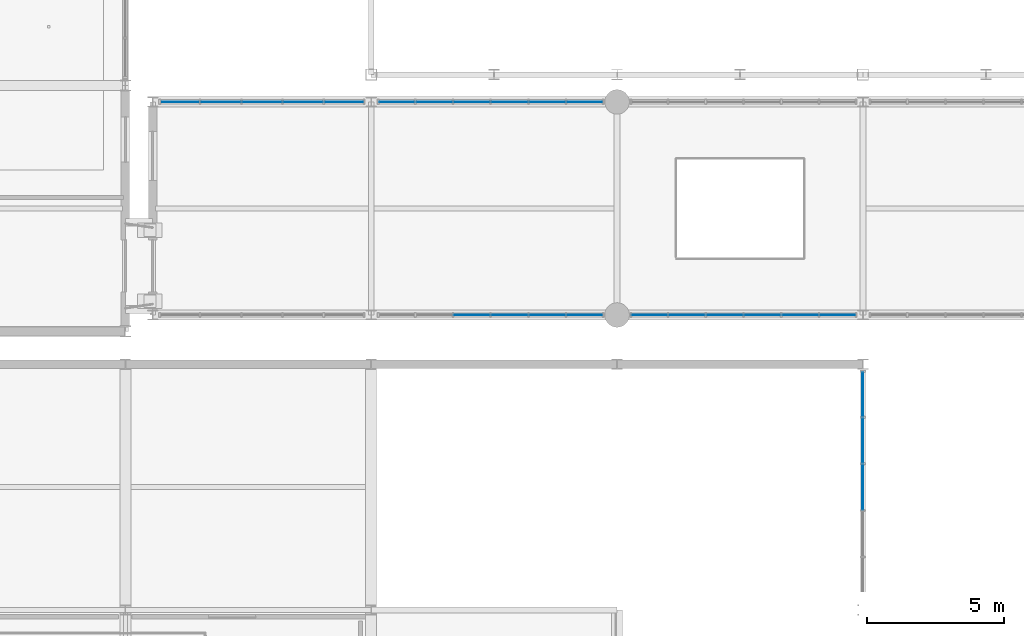
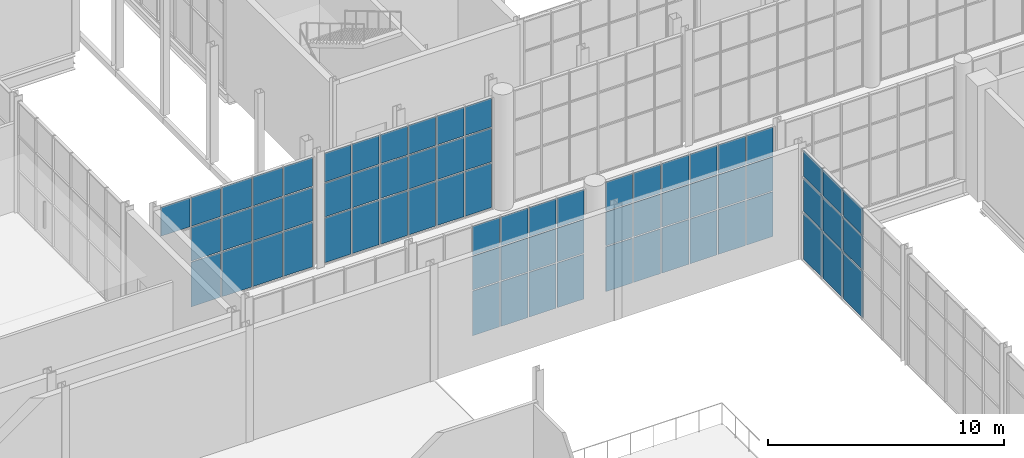
# One storey, part 96 of 159: 70 plates, 5 elements without a shape of their own.
"""IFC4 building model written with IfcOpenShell, lengths in metres."""

from ifc_helpers import new_model, si_unit, direction, frame, origin, origin_2d, place, context, subcontext, project, spatial, rectangle, extrude, material, layer, layer_set, type_object, element, aggregate, save


model = new_model("IFC4")

# Units and contexts
model_context = context("Model", 3, precision=1e-05, world=origin(), true_north=direction((0.0, 1.0)))
body_context = subcontext(model_context, "Body", "Model", "MODEL_VIEW")
ifc_project = project(units=[si_unit("LENGTHUNIT", "METRE"), si_unit("AREAUNIT", "SQUARE_METRE"), si_unit("VOLUMEUNIT", "CUBIC_METRE"), si_unit("PLANEANGLEUNIT", "RADIAN"), si_unit("MASSUNIT", "GRAM", prefix="KILO")], contexts=[model_context])

# Site, building, storey
site_placement = place(None, origin())
site = spatial("IfcSite", under=ifc_project, at=site_placement, CompositionType="ELEMENT")
building_placement = place(site_placement, origin())
building = spatial("IfcBuilding", under=site, at=building_placement, Name="Cazmaro Siding Exhibition Halls", CompositionType="ELEMENT")
storey_placement = place(building_placement, frame((0.0, 0.0, 6.0)))
storey = spatial("IfcBuildingStorey", under=building, at=storey_placement, Name="L01", CompositionType="ELEMENT", Elevation=6.0)

# Curtain wall, plates
ifc_material_1 = material(Name="Anodized Bronze Aluminum and Solar-Control Low-E Glazing", Category="aluminium")
ifc_layer_1 = layer(ifc_material_1, 0.179931640625)
ifc_layer_set_1 = layer_set([ifc_layer_1], Name="Anodized Bronze Aluminum and Solar-Control Low-E Glazing")
curtain_wall_type_1 = type_object("IfcCurtainWallType", Name="CWS-01", PredefinedType="USERDEFINED", material=ifc_layer_set_1)
curtain_wall_1_placement = place(storey_placement, origin())
curtain_wall_1 = element("IfcCurtainWall", 1, at=curtain_wall_1_placement, inside=storey, type_object=curtain_wall_type_1, Name="Glazed Curtain Wall CWS-01 CW-143", ObjectType="GLAZED CURTAIN WALL", PredefinedType="USERDEFINED")
ifc_material_2 = material(Name="Solar-Control Low-E Double Insulating Glass", Category="glass")
ifc_layer_2 = layer(ifc_material_2, 0.02392578125)
ifc_layer_set_2 = layer_set([ifc_layer_2], Name="Solar-Control Low-E Double Insulating Glass")
plate_type_1 = type_object("IfcPlateType", Name="CWP-01", PredefinedType="CURTAIN_PANEL", material=ifc_layer_set_2)
plate_1_placement = place(storey_placement, frame((44.0009765625, 63.0, 0.06005859375), z_axis=(0.0, 0.0, 1.0), x_axis=(-1.0, 0.0, 0.0)))
plate_1 = element("IfcPlate", 2, at=plate_1_placement, type_object=plate_type_1, Name="CWS-01 panel 1.1", PredefinedType="CURTAIN_PANEL", context=body_context, shape_type="SweptSolid", body=[
    extrude(rectangle(XDim=1.41796875, YDim=0.02392578125, at=origin_2d()), origin(), (0.0, 0.0, 1.0), 2.31005859375),
])
plate_2_placement = place(storey_placement, frame((44.0009765625, 63.0, 2.43017578125), z_axis=(0.0, 0.0, 1.0), x_axis=(-1.0, 0.0, 0.0)))
plate_2 = element("IfcPlate", 3, at=plate_2_placement, type_object=plate_type_1, Name="CWS-01 panel 1.2", PredefinedType="CURTAIN_PANEL", context=body_context, shape_type="SweptSolid", body=[
    extrude(rectangle(XDim=1.41796875, YDim=0.02392578125, at=origin_2d()), origin(), (0.0, 0.0, 1.0), 1.739990234375),
])
plate_3_placement = place(storey_placement, frame((44.0009765625, 63.0, 4.22998046875), z_axis=(0.0, 0.0, 1.0), x_axis=(-1.0, 0.0, 0.0)))
plate_3 = element("IfcPlate", 4, at=plate_3_placement, type_object=plate_type_1, Name="CWS-01 panel 1.3", PredefinedType="CURTAIN_PANEL", context=body_context, shape_type="SweptSolid", body=[
    extrude(rectangle(XDim=1.41796875, YDim=0.02392578125, at=origin_2d()), origin(), (0.0, 0.0, 1.0), 1.489990234375),
])
plate_4_placement = place(storey_placement, frame((42.508056640625, 63.0, 0.06005859375), z_axis=(0.0, 0.0, 1.0), x_axis=(-1.0, 0.0, 0.0)))
plate_4 = element("IfcPlate", 5, at=plate_4_placement, type_object=plate_type_1, Name="CWS-01 panel 2.1", PredefinedType="CURTAIN_PANEL", context=body_context, shape_type="SweptSolid", body=[
    extrude(rectangle(XDim=1.447998046875, YDim=0.02392578125, at=origin_2d()), origin(), (0.0, 0.0, 1.0), 2.31005859375),
])
plate_5_placement = place(storey_placement, frame((42.508056640625, 63.0, 2.43017578125), z_axis=(0.0, 0.0, 1.0), x_axis=(-1.0, 0.0, 0.0)))
plate_5 = element("IfcPlate", 6, at=plate_5_placement, type_object=plate_type_1, Name="CWS-01 panel 2.2", PredefinedType="CURTAIN_PANEL", context=body_context, shape_type="SweptSolid", body=[
    extrude(rectangle(XDim=1.447998046875, YDim=0.02392578125, at=origin_2d()), origin(), (0.0, 0.0, 1.0), 1.739990234375),
])
plate_6_placement = place(storey_placement, frame((42.508056640625, 63.0, 4.22998046875), z_axis=(0.0, 0.0, 1.0), x_axis=(-1.0, 0.0, 0.0)))
plate_6 = element("IfcPlate", 7, at=plate_6_placement, type_object=plate_type_1, Name="CWS-01 panel 2.3", PredefinedType="CURTAIN_PANEL", context=body_context, shape_type="SweptSolid", body=[
    extrude(rectangle(XDim=1.447998046875, YDim=0.02392578125, at=origin_2d()), origin(), (0.0, 0.0, 1.0), 1.489990234375),
])
plate_7_placement = place(storey_placement, frame((41.0, 63.0, 0.06005859375), z_axis=(0.0, 0.0, 1.0), x_axis=(-1.0, 0.0, 0.0)))
plate_7 = element("IfcPlate", 8, at=plate_7_placement, type_object=plate_type_1, Name="CWS-01 panel 3.1", PredefinedType="CURTAIN_PANEL", context=body_context, shape_type="SweptSolid", body=[
    extrude(rectangle(XDim=1.447998046875, YDim=0.02392578125, at=origin_2d()), origin(), (0.0, 0.0, 1.0), 2.31005859375),
])
plate_8_placement = place(storey_placement, frame((41.0, 63.0, 2.43017578125), z_axis=(0.0, 0.0, 1.0), x_axis=(-1.0, 0.0, 0.0)))
plate_8 = element("IfcPlate", 9, at=plate_8_placement, type_object=plate_type_1, Name="CWS-01 panel 3.2", PredefinedType="CURTAIN_PANEL", context=body_context, shape_type="SweptSolid", body=[
    extrude(rectangle(XDim=1.447998046875, YDim=0.02392578125, at=origin_2d()), origin(), (0.0, 0.0, 1.0), 1.739990234375),
])
plate_9_placement = place(storey_placement, frame((41.0, 63.0, 4.22998046875), z_axis=(0.0, 0.0, 1.0), x_axis=(-1.0, 0.0, 0.0)))
plate_9 = element("IfcPlate", 10, at=plate_9_placement, type_object=plate_type_1, Name="CWS-01 panel 3.3", PredefinedType="CURTAIN_PANEL", context=body_context, shape_type="SweptSolid", body=[
    extrude(rectangle(XDim=1.447998046875, YDim=0.02392578125, at=origin_2d()), origin(), (0.0, 0.0, 1.0), 1.489990234375),
])
plate_10_placement = place(storey_placement, frame((39.491943359375, 63.0, 0.06005859375), z_axis=(0.0, 0.0, 1.0), x_axis=(-1.0, 0.0, 0.0)))
plate_10 = element("IfcPlate", 11, at=plate_10_placement, type_object=plate_type_1, Name="CWS-01 panel 4.1", PredefinedType="CURTAIN_PANEL", context=body_context, shape_type="SweptSolid", body=[
    extrude(rectangle(XDim=1.447998046875, YDim=0.02392578125, at=origin_2d()), origin(), (0.0, 0.0, 1.0), 2.31005859375),
])
plate_11_placement = place(storey_placement, frame((39.491943359375, 63.0, 2.43017578125), z_axis=(0.0, 0.0, 1.0), x_axis=(-1.0, 0.0, 0.0)))
plate_11 = element("IfcPlate", 12, at=plate_11_placement, type_object=plate_type_1, Name="CWS-01 panel 4.2", PredefinedType="CURTAIN_PANEL", context=body_context, shape_type="SweptSolid", body=[
    extrude(rectangle(XDim=1.447998046875, YDim=0.02392578125, at=origin_2d()), origin(), (0.0, 0.0, 1.0), 1.739990234375),
])
plate_12_placement = place(storey_placement, frame((39.491943359375, 63.0, 4.22998046875), z_axis=(0.0, 0.0, 1.0), x_axis=(-1.0, 0.0, 0.0)))
plate_12 = element("IfcPlate", 13, at=plate_12_placement, type_object=plate_type_1, Name="CWS-01 panel 4.3", PredefinedType="CURTAIN_PANEL", context=body_context, shape_type="SweptSolid", body=[
    extrude(rectangle(XDim=1.447998046875, YDim=0.02392578125, at=origin_2d()), origin(), (0.0, 0.0, 1.0), 1.489990234375),
])
plate_13_placement = place(storey_placement, frame((37.9990234375, 63.0, 4.22998046875), z_axis=(0.0, 0.0, 1.0), x_axis=(-1.0, 0.0, 0.0)))
plate_13 = element("IfcPlate", 14, at=plate_13_placement, type_object=plate_type_1, Name="CWS-01 panel 5.3", PredefinedType="CURTAIN_PANEL", context=body_context, shape_type="SweptSolid", body=[
    extrude(rectangle(XDim=1.41796875, YDim=0.02392578125, at=origin_2d()), origin(), (0.0, 0.0, 1.0), 1.489990234375),
])
aggregate(curtain_wall_1, [plate_1, plate_2, plate_3, plate_4, plate_5, plate_6, plate_7, plate_8, plate_9, plate_10, plate_11, plate_12, plate_13])

curtain_wall_2_placement = place(storey_placement, origin())
curtain_wall_2 = element("IfcCurtainWall", 15, at=curtain_wall_2_placement, inside=storey, type_object=curtain_wall_type_1, Name="Glazed Curtain Wall CWS-01 CW-146", ObjectType="GLAZED CURTAIN WALL", PredefinedType="USERDEFINED")
plate_14_placement = place(storey_placement, frame((48.682861328125, 55.199951171875, 0.06005859375), z_axis=(0.0, 0.0, 1.0), x_axis=(1.0, 0.0, 0.0)))
plate_14 = element("IfcPlate", 16, at=plate_14_placement, type_object=plate_type_1, Name="CWS-01 panel 3.1", PredefinedType="CURTAIN_PANEL", context=body_context, shape_type="SweptSolid", body=[
    extrude(rectangle(XDim=1.321044921875, YDim=0.02392578125, at=origin_2d()), origin(), (0.0, 0.0, 1.0), 2.31005859375),
])
plate_15_placement = place(storey_placement, frame((48.682861328125, 55.199951171875, 2.43017578125), z_axis=(0.0, 0.0, 1.0), x_axis=(1.0, 0.0, 0.0)))
plate_15 = element("IfcPlate", 17, at=plate_15_placement, type_object=plate_type_1, Name="CWS-01 panel 3.2", PredefinedType="CURTAIN_PANEL", context=body_context, shape_type="SweptSolid", body=[
    extrude(rectangle(XDim=1.321044921875, YDim=0.02392578125, at=origin_2d()), origin(), (0.0, 0.0, 1.0), 1.739990234375),
])
plate_16_placement = place(storey_placement, frame((48.682861328125, 55.199951171875, 4.22998046875), z_axis=(0.0, 0.0, 1.0), x_axis=(1.0, 0.0, 0.0)))
plate_16 = element("IfcPlate", 18, at=plate_16_placement, type_object=plate_type_1, Name="CWS-01 panel 3.3", PredefinedType="CURTAIN_PANEL", context=body_context, shape_type="SweptSolid", body=[
    extrude(rectangle(XDim=1.321044921875, YDim=0.02392578125, at=origin_2d()), origin(), (0.0, 0.0, 1.0), 1.489990234375),
])
plate_17_placement = place(storey_placement, frame((50.06396484375, 55.199951171875, 0.06005859375), z_axis=(0.0, 0.0, 1.0), x_axis=(1.0, 0.0, 0.0)))
plate_17 = element("IfcPlate", 19, at=plate_17_placement, type_object=plate_type_1, Name="CWS-01 panel 4.1", PredefinedType="CURTAIN_PANEL", context=body_context, shape_type="SweptSolid", body=[
    extrude(rectangle(XDim=1.321044921875, YDim=0.02392578125, at=origin_2d()), origin(), (0.0, 0.0, 1.0), 2.31005859375),
])
plate_18_placement = place(storey_placement, frame((50.06396484375, 55.199951171875, 2.43017578125), z_axis=(0.0, 0.0, 1.0), x_axis=(1.0, 0.0, 0.0)))
plate_18 = element("IfcPlate", 20, at=plate_18_placement, type_object=plate_type_1, Name="CWS-01 panel 4.2", PredefinedType="CURTAIN_PANEL", context=body_context, shape_type="SweptSolid", body=[
    extrude(rectangle(XDim=1.321044921875, YDim=0.02392578125, at=origin_2d()), origin(), (0.0, 0.0, 1.0), 1.739990234375),
])
plate_19_placement = place(storey_placement, frame((50.06396484375, 55.199951171875, 4.22998046875), z_axis=(0.0, 0.0, 1.0), x_axis=(1.0, 0.0, 0.0)))
plate_19 = element("IfcPlate", 21, at=plate_19_placement, type_object=plate_type_1, Name="CWS-01 panel 4.3", PredefinedType="CURTAIN_PANEL", context=body_context, shape_type="SweptSolid", body=[
    extrude(rectangle(XDim=1.321044921875, YDim=0.02392578125, at=origin_2d()), origin(), (0.0, 0.0, 1.0), 1.489990234375),
])
plate_20_placement = place(storey_placement, frame((51.4453125, 55.199951171875, 0.06005859375), z_axis=(0.0, 0.0, 1.0), x_axis=(1.0, 0.0, 0.0)))
plate_20 = element("IfcPlate", 22, at=plate_20_placement, type_object=plate_type_1, Name="CWS-01 panel 5.1", PredefinedType="CURTAIN_PANEL", context=body_context, shape_type="SweptSolid", body=[
    extrude(rectangle(XDim=1.321044921875, YDim=0.02392578125, at=origin_2d()), origin(), (0.0, 0.0, 1.0), 2.31005859375),
])
plate_21_placement = place(storey_placement, frame((51.4453125, 55.199951171875, 2.43017578125), z_axis=(0.0, 0.0, 1.0), x_axis=(1.0, 0.0, 0.0)))
plate_21 = element("IfcPlate", 23, at=plate_21_placement, type_object=plate_type_1, Name="CWS-01 panel 5.2", PredefinedType="CURTAIN_PANEL", context=body_context, shape_type="SweptSolid", body=[
    extrude(rectangle(XDim=1.321044921875, YDim=0.02392578125, at=origin_2d()), origin(), (0.0, 0.0, 1.0), 1.739990234375),
])
plate_22_placement = place(storey_placement, frame((51.4453125, 55.199951171875, 4.22998046875), z_axis=(0.0, 0.0, 1.0), x_axis=(1.0, 0.0, 0.0)))
plate_22 = element("IfcPlate", 24, at=plate_22_placement, type_object=plate_type_1, Name="CWS-01 panel 5.3", PredefinedType="CURTAIN_PANEL", context=body_context, shape_type="SweptSolid", body=[
    extrude(rectangle(XDim=1.321044921875, YDim=0.02392578125, at=origin_2d()), origin(), (0.0, 0.0, 1.0), 1.489990234375),
])
plate_23_placement = place(storey_placement, frame((52.8115234375, 55.199951171875, 0.06005859375), z_axis=(0.0, 0.0, 1.0), x_axis=(1.0, 0.0, 0.0)))
plate_23 = element("IfcPlate", 25, at=plate_23_placement, type_object=plate_type_1, Name="CWS-01 panel 6.1", PredefinedType="CURTAIN_PANEL", context=body_context, shape_type="SweptSolid", body=[
    extrude(rectangle(XDim=1.291259765625, YDim=0.02392578125, at=origin_2d()), origin(), (0.0, 0.0, 1.0), 2.31005859375),
])
plate_24_placement = place(storey_placement, frame((52.8115234375, 55.199951171875, 2.43017578125), z_axis=(0.0, 0.0, 1.0), x_axis=(1.0, 0.0, 0.0)))
plate_24 = element("IfcPlate", 26, at=plate_24_placement, type_object=plate_type_1, Name="CWS-01 panel 6.2", PredefinedType="CURTAIN_PANEL", context=body_context, shape_type="SweptSolid", body=[
    extrude(rectangle(XDim=1.291259765625, YDim=0.02392578125, at=origin_2d()), origin(), (0.0, 0.0, 1.0), 1.739990234375),
])
plate_25_placement = place(storey_placement, frame((52.8115234375, 55.199951171875, 4.22998046875), z_axis=(0.0, 0.0, 1.0), x_axis=(1.0, 0.0, 0.0)))
plate_25 = element("IfcPlate", 27, at=plate_25_placement, type_object=plate_type_1, Name="CWS-01 panel 6.3", PredefinedType="CURTAIN_PANEL", context=body_context, shape_type="SweptSolid", body=[
    extrude(rectangle(XDim=1.291259765625, YDim=0.02392578125, at=origin_2d()), origin(), (0.0, 0.0, 1.0), 1.489990234375),
])
aggregate(curtain_wall_2, [plate_14, plate_15, plate_16, plate_17, plate_18, plate_19, plate_20, plate_21, plate_22, plate_23, plate_24, plate_25])

curtain_wall_3_placement = place(storey_placement, origin())
curtain_wall_3 = element("IfcCurtainWall", 28, at=curtain_wall_3_placement, inside=storey, type_object=curtain_wall_type_1, Name="Glazed Curtain Wall CWS-01 CW-148", ObjectType="GLAZED CURTAIN WALL", PredefinedType="USERDEFINED")
plate_26_placement = place(storey_placement, frame((52.8115234375, 63.0, 0.06005859375), z_axis=(0.0, 0.0, 1.0), x_axis=(-1.0, 0.0, 0.0)))
plate_26 = element("IfcPlate", 29, at=plate_26_placement, type_object=plate_type_1, Name="CWS-01 panel 1.1", PredefinedType="CURTAIN_PANEL", context=body_context, shape_type="SweptSolid", body=[
    extrude(rectangle(XDim=1.291259765625, YDim=0.02392578125, at=origin_2d()), origin(), (0.0, 0.0, 1.0), 2.31005859375),
])
plate_27_placement = place(storey_placement, frame((52.8115234375, 63.0, 2.43017578125), z_axis=(0.0, 0.0, 1.0), x_axis=(-1.0, 0.0, 0.0)))
plate_27 = element("IfcPlate", 30, at=plate_27_placement, type_object=plate_type_1, Name="CWS-01 panel 1.2", PredefinedType="CURTAIN_PANEL", context=body_context, shape_type="SweptSolid", body=[
    extrude(rectangle(XDim=1.291259765625, YDim=0.02392578125, at=origin_2d()), origin(), (0.0, 0.0, 1.0), 1.739990234375),
])
plate_28_placement = place(storey_placement, frame((52.8115234375, 63.0, 4.22998046875), z_axis=(0.0, 0.0, 1.0), x_axis=(-1.0, 0.0, 0.0)))
plate_28 = element("IfcPlate", 31, at=plate_28_placement, type_object=plate_type_1, Name="CWS-01 panel 1.3", PredefinedType="CURTAIN_PANEL", context=body_context, shape_type="SweptSolid", body=[
    extrude(rectangle(XDim=1.291259765625, YDim=0.02392578125, at=origin_2d()), origin(), (0.0, 0.0, 1.0), 1.489990234375),
])
plate_29_placement = place(storey_placement, frame((51.4453125, 63.0, 0.06005859375), z_axis=(0.0, 0.0, 1.0), x_axis=(-1.0, 0.0, 0.0)))
plate_29 = element("IfcPlate", 32, at=plate_29_placement, type_object=plate_type_1, Name="CWS-01 panel 2.1", PredefinedType="CURTAIN_PANEL", context=body_context, shape_type="SweptSolid", body=[
    extrude(rectangle(XDim=1.321044921875, YDim=0.02392578125, at=origin_2d()), origin(), (0.0, 0.0, 1.0), 2.31005859375),
])
plate_30_placement = place(storey_placement, frame((51.4453125, 63.0, 2.43017578125), z_axis=(0.0, 0.0, 1.0), x_axis=(-1.0, 0.0, 0.0)))
plate_30 = element("IfcPlate", 33, at=plate_30_placement, type_object=plate_type_1, Name="CWS-01 panel 2.2", PredefinedType="CURTAIN_PANEL", context=body_context, shape_type="SweptSolid", body=[
    extrude(rectangle(XDim=1.321044921875, YDim=0.02392578125, at=origin_2d()), origin(), (0.0, 0.0, 1.0), 1.739990234375),
])
plate_31_placement = place(storey_placement, frame((51.4453125, 63.0, 4.22998046875), z_axis=(0.0, 0.0, 1.0), x_axis=(-1.0, 0.0, 0.0)))
plate_31 = element("IfcPlate", 34, at=plate_31_placement, type_object=plate_type_1, Name="CWS-01 panel 2.3", PredefinedType="CURTAIN_PANEL", context=body_context, shape_type="SweptSolid", body=[
    extrude(rectangle(XDim=1.321044921875, YDim=0.02392578125, at=origin_2d()), origin(), (0.0, 0.0, 1.0), 1.489990234375),
])
plate_32_placement = place(storey_placement, frame((50.06396484375, 63.0, 0.06005859375), z_axis=(0.0, 0.0, 1.0), x_axis=(-1.0, 0.0, 0.0)))
plate_32 = element("IfcPlate", 35, at=plate_32_placement, type_object=plate_type_1, Name="CWS-01 panel 3.1", PredefinedType="CURTAIN_PANEL", context=body_context, shape_type="SweptSolid", body=[
    extrude(rectangle(XDim=1.321044921875, YDim=0.02392578125, at=origin_2d()), origin(), (0.0, 0.0, 1.0), 2.31005859375),
])
plate_33_placement = place(storey_placement, frame((50.06396484375, 63.0, 2.43017578125), z_axis=(0.0, 0.0, 1.0), x_axis=(-1.0, 0.0, 0.0)))
plate_33 = element("IfcPlate", 36, at=plate_33_placement, type_object=plate_type_1, Name="CWS-01 panel 3.2", PredefinedType="CURTAIN_PANEL", context=body_context, shape_type="SweptSolid", body=[
    extrude(rectangle(XDim=1.321044921875, YDim=0.02392578125, at=origin_2d()), origin(), (0.0, 0.0, 1.0), 1.739990234375),
])
plate_34_placement = place(storey_placement, frame((50.06396484375, 63.0, 4.22998046875), z_axis=(0.0, 0.0, 1.0), x_axis=(-1.0, 0.0, 0.0)))
plate_34 = element("IfcPlate", 37, at=plate_34_placement, type_object=plate_type_1, Name="CWS-01 panel 3.3", PredefinedType="CURTAIN_PANEL", context=body_context, shape_type="SweptSolid", body=[
    extrude(rectangle(XDim=1.321044921875, YDim=0.02392578125, at=origin_2d()), origin(), (0.0, 0.0, 1.0), 1.489990234375),
])
plate_35_placement = place(storey_placement, frame((48.682861328125, 63.0, 0.06005859375), z_axis=(0.0, 0.0, 1.0), x_axis=(-1.0, 0.0, 0.0)))
plate_35 = element("IfcPlate", 38, at=plate_35_placement, type_object=plate_type_1, Name="CWS-01 panel 4.1", PredefinedType="CURTAIN_PANEL", context=body_context, shape_type="SweptSolid", body=[
    extrude(rectangle(XDim=1.321044921875, YDim=0.02392578125, at=origin_2d()), origin(), (0.0, 0.0, 1.0), 2.31005859375),
])
plate_36_placement = place(storey_placement, frame((48.682861328125, 63.0, 2.43017578125), z_axis=(0.0, 0.0, 1.0), x_axis=(-1.0, 0.0, 0.0)))
plate_36 = element("IfcPlate", 39, at=plate_36_placement, type_object=plate_type_1, Name="CWS-01 panel 4.2", PredefinedType="CURTAIN_PANEL", context=body_context, shape_type="SweptSolid", body=[
    extrude(rectangle(XDim=1.321044921875, YDim=0.02392578125, at=origin_2d()), origin(), (0.0, 0.0, 1.0), 1.739990234375),
])
plate_37_placement = place(storey_placement, frame((48.682861328125, 63.0, 4.22998046875), z_axis=(0.0, 0.0, 1.0), x_axis=(-1.0, 0.0, 0.0)))
plate_37 = element("IfcPlate", 40, at=plate_37_placement, type_object=plate_type_1, Name="CWS-01 panel 4.3", PredefinedType="CURTAIN_PANEL", context=body_context, shape_type="SweptSolid", body=[
    extrude(rectangle(XDim=1.321044921875, YDim=0.02392578125, at=origin_2d()), origin(), (0.0, 0.0, 1.0), 1.489990234375),
])
plate_38_placement = place(storey_placement, frame((47.3017578125, 63.0, 0.06005859375), z_axis=(0.0, 0.0, 1.0), x_axis=(-1.0, 0.0, 0.0)))
plate_38 = element("IfcPlate", 41, at=plate_38_placement, type_object=plate_type_1, Name="CWS-01 panel 5.1", PredefinedType="CURTAIN_PANEL", context=body_context, shape_type="SweptSolid", body=[
    extrude(rectangle(XDim=1.321044921875, YDim=0.02392578125, at=origin_2d()), origin(), (0.0, 0.0, 1.0), 2.31005859375),
])
plate_39_placement = place(storey_placement, frame((47.3017578125, 63.0, 2.43017578125), z_axis=(0.0, 0.0, 1.0), x_axis=(-1.0, 0.0, 0.0)))
plate_39 = element("IfcPlate", 42, at=plate_39_placement, type_object=plate_type_1, Name="CWS-01 panel 5.2", PredefinedType="CURTAIN_PANEL", context=body_context, shape_type="SweptSolid", body=[
    extrude(rectangle(XDim=1.321044921875, YDim=0.02392578125, at=origin_2d()), origin(), (0.0, 0.0, 1.0), 1.739990234375),
])
plate_40_placement = place(storey_placement, frame((47.3017578125, 63.0, 4.22998046875), z_axis=(0.0, 0.0, 1.0), x_axis=(-1.0, 0.0, 0.0)))
plate_40 = element("IfcPlate", 43, at=plate_40_placement, type_object=plate_type_1, Name="CWS-01 panel 5.3", PredefinedType="CURTAIN_PANEL", context=body_context, shape_type="SweptSolid", body=[
    extrude(rectangle(XDim=1.321044921875, YDim=0.02392578125, at=origin_2d()), origin(), (0.0, 0.0, 1.0), 1.489990234375),
])
plate_41_placement = place(storey_placement, frame((45.935546875, 63.0, 0.06005859375), z_axis=(0.0, 0.0, 1.0), x_axis=(-1.0, 0.0, 0.0)))
plate_41 = element("IfcPlate", 44, at=plate_41_placement, type_object=plate_type_1, Name="CWS-01 panel 6.1", PredefinedType="CURTAIN_PANEL", context=body_context, shape_type="SweptSolid", body=[
    extrude(rectangle(XDim=1.291259765625, YDim=0.02392578125, at=origin_2d()), origin(), (0.0, 0.0, 1.0), 2.31005859375),
])
plate_42_placement = place(storey_placement, frame((45.935546875, 63.0, 2.43017578125), z_axis=(0.0, 0.0, 1.0), x_axis=(-1.0, 0.0, 0.0)))
plate_42 = element("IfcPlate", 45, at=plate_42_placement, type_object=plate_type_1, Name="CWS-01 panel 6.2", PredefinedType="CURTAIN_PANEL", context=body_context, shape_type="SweptSolid", body=[
    extrude(rectangle(XDim=1.291259765625, YDim=0.02392578125, at=origin_2d()), origin(), (0.0, 0.0, 1.0), 1.739990234375),
])
plate_43_placement = place(storey_placement, frame((45.935546875, 63.0, 4.22998046875), z_axis=(0.0, 0.0, 1.0), x_axis=(-1.0, 0.0, 0.0)))
plate_43 = element("IfcPlate", 46, at=plate_43_placement, type_object=plate_type_1, Name="CWS-01 panel 6.3", PredefinedType="CURTAIN_PANEL", context=body_context, shape_type="SweptSolid", body=[
    extrude(rectangle(XDim=1.291259765625, YDim=0.02392578125, at=origin_2d()), origin(), (0.0, 0.0, 1.0), 1.489990234375),
])
aggregate(curtain_wall_3, [plate_26, plate_27, plate_28, plate_29, plate_30, plate_31, plate_32, plate_33, plate_34, plate_35, plate_36, plate_37, plate_38, plate_39, plate_40, plate_41, plate_42, plate_43])

curtain_wall_4_placement = place(storey_placement, origin())
curtain_wall_4 = element("IfcCurtainWall", 47, at=curtain_wall_4_placement, inside=storey, type_object=curtain_wall_type_1, Name="Glazed Curtain Wall CWS-01 CW-151", ObjectType="GLAZED CURTAIN WALL", PredefinedType="USERDEFINED")
plate_44_placement = place(storey_placement, frame((55.1884765625, 55.199951171875, 0.06005859375), z_axis=(0.0, 0.0, 1.0), x_axis=(1.0, 0.0, 0.0)))
plate_44 = element("IfcPlate", 48, at=plate_44_placement, type_object=plate_type_1, Name="CWS-01 panel 1.1", PredefinedType="CURTAIN_PANEL", context=body_context, shape_type="SweptSolid", body=[
    extrude(rectangle(XDim=1.291259765625, YDim=0.02392578125, at=origin_2d()), origin(), (0.0, 0.0, 1.0), 2.31005859375),
])
plate_45_placement = place(storey_placement, frame((55.1884765625, 55.199951171875, 2.43017578125), z_axis=(0.0, 0.0, 1.0), x_axis=(1.0, 0.0, 0.0)))
plate_45 = element("IfcPlate", 49, at=plate_45_placement, type_object=plate_type_1, Name="CWS-01 panel 1.2", PredefinedType="CURTAIN_PANEL", context=body_context, shape_type="SweptSolid", body=[
    extrude(rectangle(XDim=1.291259765625, YDim=0.02392578125, at=origin_2d()), origin(), (0.0, 0.0, 1.0), 1.739990234375),
])
plate_46_placement = place(storey_placement, frame((55.1884765625, 55.199951171875, 4.22998046875), z_axis=(0.0, 0.0, 1.0), x_axis=(1.0, 0.0, 0.0)))
plate_46 = element("IfcPlate", 50, at=plate_46_placement, type_object=plate_type_1, Name="CWS-01 panel 1.3", PredefinedType="CURTAIN_PANEL", context=body_context, shape_type="SweptSolid", body=[
    extrude(rectangle(XDim=1.291259765625, YDim=0.02392578125, at=origin_2d()), origin(), (0.0, 0.0, 1.0), 1.489990234375),
])
plate_47_placement = place(storey_placement, frame((56.5546875, 55.199951171875, 0.06005859375), z_axis=(0.0, 0.0, 1.0), x_axis=(1.0, 0.0, 0.0)))
plate_47 = element("IfcPlate", 51, at=plate_47_placement, type_object=plate_type_1, Name="CWS-01 panel 2.1", PredefinedType="CURTAIN_PANEL", context=body_context, shape_type="SweptSolid", body=[
    extrude(rectangle(XDim=1.321044921875, YDim=0.02392578125, at=origin_2d()), origin(), (0.0, 0.0, 1.0), 2.31005859375),
])
plate_48_placement = place(storey_placement, frame((56.5546875, 55.199951171875, 2.43017578125), z_axis=(0.0, 0.0, 1.0), x_axis=(1.0, 0.0, 0.0)))
plate_48 = element("IfcPlate", 52, at=plate_48_placement, type_object=plate_type_1, Name="CWS-01 panel 2.2", PredefinedType="CURTAIN_PANEL", context=body_context, shape_type="SweptSolid", body=[
    extrude(rectangle(XDim=1.321044921875, YDim=0.02392578125, at=origin_2d()), origin(), (0.0, 0.0, 1.0), 1.739990234375),
])
plate_49_placement = place(storey_placement, frame((56.5546875, 55.199951171875, 4.22998046875), z_axis=(0.0, 0.0, 1.0), x_axis=(1.0, 0.0, 0.0)))
plate_49 = element("IfcPlate", 53, at=plate_49_placement, type_object=plate_type_1, Name="CWS-01 panel 2.3", PredefinedType="CURTAIN_PANEL", context=body_context, shape_type="SweptSolid", body=[
    extrude(rectangle(XDim=1.321044921875, YDim=0.02392578125, at=origin_2d()), origin(), (0.0, 0.0, 1.0), 1.489990234375),
])
plate_50_placement = place(storey_placement, frame((57.93603515625, 55.199951171875, 0.06005859375), z_axis=(0.0, 0.0, 1.0), x_axis=(1.0, 0.0, 0.0)))
plate_50 = element("IfcPlate", 54, at=plate_50_placement, type_object=plate_type_1, Name="CWS-01 panel 3.1", PredefinedType="CURTAIN_PANEL", context=body_context, shape_type="SweptSolid", body=[
    extrude(rectangle(XDim=1.321044921875, YDim=0.02392578125, at=origin_2d()), origin(), (0.0, 0.0, 1.0), 2.31005859375),
])
plate_51_placement = place(storey_placement, frame((57.93603515625, 55.199951171875, 2.43017578125), z_axis=(0.0, 0.0, 1.0), x_axis=(1.0, 0.0, 0.0)))
plate_51 = element("IfcPlate", 55, at=plate_51_placement, type_object=plate_type_1, Name="CWS-01 panel 3.2", PredefinedType="CURTAIN_PANEL", context=body_context, shape_type="SweptSolid", body=[
    extrude(rectangle(XDim=1.321044921875, YDim=0.02392578125, at=origin_2d()), origin(), (0.0, 0.0, 1.0), 1.739990234375),
])
plate_52_placement = place(storey_placement, frame((57.93603515625, 55.199951171875, 4.22998046875), z_axis=(0.0, 0.0, 1.0), x_axis=(1.0, 0.0, 0.0)))
plate_52 = element("IfcPlate", 56, at=plate_52_placement, type_object=plate_type_1, Name="CWS-01 panel 3.3", PredefinedType="CURTAIN_PANEL", context=body_context, shape_type="SweptSolid", body=[
    extrude(rectangle(XDim=1.321044921875, YDim=0.02392578125, at=origin_2d()), origin(), (0.0, 0.0, 1.0), 1.489990234375),
])
plate_53_placement = place(storey_placement, frame((59.317138671875, 55.199951171875, 0.06005859375), z_axis=(0.0, 0.0, 1.0), x_axis=(1.0, 0.0, 0.0)))
plate_53 = element("IfcPlate", 57, at=plate_53_placement, type_object=plate_type_1, Name="CWS-01 panel 4.1", PredefinedType="CURTAIN_PANEL", context=body_context, shape_type="SweptSolid", body=[
    extrude(rectangle(XDim=1.321044921875, YDim=0.02392578125, at=origin_2d()), origin(), (0.0, 0.0, 1.0), 2.31005859375),
])
plate_54_placement = place(storey_placement, frame((59.317138671875, 55.199951171875, 2.43017578125), z_axis=(0.0, 0.0, 1.0), x_axis=(1.0, 0.0, 0.0)))
plate_54 = element("IfcPlate", 58, at=plate_54_placement, type_object=plate_type_1, Name="CWS-01 panel 4.2", PredefinedType="CURTAIN_PANEL", context=body_context, shape_type="SweptSolid", body=[
    extrude(rectangle(XDim=1.321044921875, YDim=0.02392578125, at=origin_2d()), origin(), (0.0, 0.0, 1.0), 1.739990234375),
])
plate_55_placement = place(storey_placement, frame((59.317138671875, 55.199951171875, 4.22998046875), z_axis=(0.0, 0.0, 1.0), x_axis=(1.0, 0.0, 0.0)))
plate_55 = element("IfcPlate", 59, at=plate_55_placement, type_object=plate_type_1, Name="CWS-01 panel 4.3", PredefinedType="CURTAIN_PANEL", context=body_context, shape_type="SweptSolid", body=[
    extrude(rectangle(XDim=1.321044921875, YDim=0.02392578125, at=origin_2d()), origin(), (0.0, 0.0, 1.0), 1.489990234375),
])
plate_56_placement = place(storey_placement, frame((60.6982421875, 55.199951171875, 0.06005859375), z_axis=(0.0, 0.0, 1.0), x_axis=(1.0, 0.0, 0.0)))
plate_56 = element("IfcPlate", 60, at=plate_56_placement, type_object=plate_type_1, Name="CWS-01 panel 5.1", PredefinedType="CURTAIN_PANEL", context=body_context, shape_type="SweptSolid", body=[
    extrude(rectangle(XDim=1.321044921875, YDim=0.02392578125, at=origin_2d()), origin(), (0.0, 0.0, 1.0), 2.31005859375),
])
plate_57_placement = place(storey_placement, frame((60.6982421875, 55.199951171875, 2.43017578125), z_axis=(0.0, 0.0, 1.0), x_axis=(1.0, 0.0, 0.0)))
plate_57 = element("IfcPlate", 61, at=plate_57_placement, type_object=plate_type_1, Name="CWS-01 panel 5.2", PredefinedType="CURTAIN_PANEL", context=body_context, shape_type="SweptSolid", body=[
    extrude(rectangle(XDim=1.321044921875, YDim=0.02392578125, at=origin_2d()), origin(), (0.0, 0.0, 1.0), 1.739990234375),
])
plate_58_placement = place(storey_placement, frame((60.6982421875, 55.199951171875, 4.22998046875), z_axis=(0.0, 0.0, 1.0), x_axis=(1.0, 0.0, 0.0)))
plate_58 = element("IfcPlate", 62, at=plate_58_placement, type_object=plate_type_1, Name="CWS-01 panel 5.3", PredefinedType="CURTAIN_PANEL", context=body_context, shape_type="SweptSolid", body=[
    extrude(rectangle(XDim=1.321044921875, YDim=0.02392578125, at=origin_2d()), origin(), (0.0, 0.0, 1.0), 1.489990234375),
])
plate_59_placement = place(storey_placement, frame((62.064453125, 55.199951171875, 0.06005859375), z_axis=(0.0, 0.0, 1.0), x_axis=(1.0, 0.0, 0.0)))
plate_59 = element("IfcPlate", 63, at=plate_59_placement, type_object=plate_type_1, Name="CWS-01 panel 6.1", PredefinedType="CURTAIN_PANEL", context=body_context, shape_type="SweptSolid", body=[
    extrude(rectangle(XDim=1.291259765625, YDim=0.02392578125, at=origin_2d()), origin(), (0.0, 0.0, 1.0), 2.31005859375),
])
plate_60_placement = place(storey_placement, frame((62.064453125, 55.199951171875, 2.43017578125), z_axis=(0.0, 0.0, 1.0), x_axis=(1.0, 0.0, 0.0)))
plate_60 = element("IfcPlate", 64, at=plate_60_placement, type_object=plate_type_1, Name="CWS-01 panel 6.2", PredefinedType="CURTAIN_PANEL", context=body_context, shape_type="SweptSolid", body=[
    extrude(rectangle(XDim=1.291259765625, YDim=0.02392578125, at=origin_2d()), origin(), (0.0, 0.0, 1.0), 1.739990234375),
])
plate_61_placement = place(storey_placement, frame((62.064453125, 55.199951171875, 4.22998046875), z_axis=(0.0, 0.0, 1.0), x_axis=(1.0, 0.0, 0.0)))
plate_61 = element("IfcPlate", 65, at=plate_61_placement, type_object=plate_type_1, Name="CWS-01 panel 6.3", PredefinedType="CURTAIN_PANEL", context=body_context, shape_type="SweptSolid", body=[
    extrude(rectangle(XDim=1.291259765625, YDim=0.02392578125, at=origin_2d()), origin(), (0.0, 0.0, 1.0), 1.489990234375),
])
aggregate(curtain_wall_4, [plate_44, plate_45, plate_46, plate_47, plate_48, plate_49, plate_50, plate_51, plate_52, plate_53, plate_54, plate_55, plate_56, plate_57, plate_58, plate_59, plate_60, plate_61])

ifc_material_3 = material(Name="Anodized Bronze Aluminum and Solar-Control Low-E Glazing", Category="aluminium")
ifc_layer_3 = layer(ifc_material_3, 0.199951171875)
ifc_layer_set_3 = layer_set([ifc_layer_3], Name="Anodized Bronze Aluminum and Solar-Control Low-E Glazing")
curtain_wall_type_2 = type_object("IfcCurtainWallType", Name="CWS-02", PredefinedType="USERDEFINED", material=ifc_layer_set_3)
curtain_wall_5_placement = place(storey_placement, origin())
curtain_wall_5 = element("IfcCurtainWall", 66, at=curtain_wall_5_placement, inside=storey, type_object=curtain_wall_type_2, Name="Glazed Curtain Wall CWS-02 CW-221", ObjectType="GLAZED CURTAIN WALL", PredefinedType="USERDEFINED")
ifc_material_4 = material(Name="Solar-Control Low-E Double Insulating Glass", Category="glass")
ifc_layer_4 = layer(ifc_material_4, 0.035888671875)
ifc_layer_set_4 = layer_set([ifc_layer_4], Name="Solar-Control Low-E Double Insulating Glass")
plate_type_2 = type_object("IfcPlateType", Name="CWP-02", PredefinedType="CURTAIN_PANEL", material=ifc_layer_set_4)
plate_62_placement = place(storey_placement, frame((63.0, 48.89990234375, 0.06494140625), z_axis=(0.0, 0.0, 1.0), x_axis=(0.0, 1.0, 0.0)))
plate_62 = element("IfcPlate", 67, at=plate_62_placement, type_object=plate_type_2, Name="CWS-02 panel 3.1", PredefinedType="CURTAIN_PANEL", context=body_context, shape_type="SweptSolid", body=[
    extrude(rectangle(XDim=1.642578125, YDim=0.035888671875, at=origin_2d()), origin(), (0.0, 0.0, 1.0), 2.402587890625),
])
plate_63_placement = place(storey_placement, frame((63.0, 48.89990234375, 2.5322265625), z_axis=(0.0, 0.0, 1.0), x_axis=(0.0, 1.0, 0.0)))
plate_63 = element("IfcPlate", 68, at=plate_63_placement, type_object=plate_type_2, Name="CWS-02 panel 3.2", PredefinedType="CURTAIN_PANEL", context=body_context, shape_type="SweptSolid", body=[
    extrude(rectangle(XDim=1.642578125, YDim=0.035888671875, at=origin_2d()), origin(), (0.0, 0.0, 1.0), 1.735107421875),
])
plate_64_placement = place(storey_placement, frame((63.0, 48.89990234375, 4.33251953125), z_axis=(0.0, 0.0, 1.0), x_axis=(0.0, 1.0, 0.0)))
plate_64 = element("IfcPlate", 69, at=plate_64_placement, type_object=plate_type_2, Name="CWS-02 panel 3.3", PredefinedType="CURTAIN_PANEL", context=body_context, shape_type="SweptSolid", body=[
    extrude(rectangle(XDim=1.642578125, YDim=0.035888671875, at=origin_2d()), origin(), (0.0, 0.0, 1.0), 1.3525390625),
])
plate_65_placement = place(storey_placement, frame((63.0, 50.607666015625, 0.06494140625), z_axis=(0.0, 0.0, 1.0), x_axis=(0.0, 1.0, 0.0)))
plate_65 = element("IfcPlate", 70, at=plate_65_placement, type_object=plate_type_2, Name="CWS-02 panel 4.1", PredefinedType="CURTAIN_PANEL", context=body_context, shape_type="SweptSolid", body=[
    extrude(rectangle(XDim=1.642578125, YDim=0.035888671875, at=origin_2d()), origin(), (0.0, 0.0, 1.0), 2.402587890625),
])
plate_66_placement = place(storey_placement, frame((63.0, 50.607666015625, 2.5322265625), z_axis=(0.0, 0.0, 1.0), x_axis=(0.0, 1.0, 0.0)))
plate_66 = element("IfcPlate", 71, at=plate_66_placement, type_object=plate_type_2, Name="CWS-02 panel 4.2", PredefinedType="CURTAIN_PANEL", context=body_context, shape_type="SweptSolid", body=[
    extrude(rectangle(XDim=1.642578125, YDim=0.035888671875, at=origin_2d()), origin(), (0.0, 0.0, 1.0), 1.735107421875),
])
plate_67_placement = place(storey_placement, frame((63.0, 50.607666015625, 4.33251953125), z_axis=(0.0, 0.0, 1.0), x_axis=(0.0, 1.0, 0.0)))
plate_67 = element("IfcPlate", 72, at=plate_67_placement, type_object=plate_type_2, Name="CWS-02 panel 4.3", PredefinedType="CURTAIN_PANEL", context=body_context, shape_type="SweptSolid", body=[
    extrude(rectangle(XDim=1.642578125, YDim=0.035888671875, at=origin_2d()), origin(), (0.0, 0.0, 1.0), 1.3525390625),
])
plate_68_placement = place(storey_placement, frame((63.0, 52.298828125, 0.06494140625), z_axis=(0.0, 0.0, 1.0), x_axis=(0.0, 1.0, 0.0)))
plate_68 = element("IfcPlate", 73, at=plate_68_placement, type_object=plate_type_2, Name="CWS-02 panel 5.1", PredefinedType="CURTAIN_PANEL", context=body_context, shape_type="SweptSolid", body=[
    extrude(rectangle(XDim=1.610107421875, YDim=0.035888671875, at=origin_2d()), origin(), (0.0, 0.0, 1.0), 2.402587890625),
])
plate_69_placement = place(storey_placement, frame((63.0, 52.298828125, 2.5322265625), z_axis=(0.0, 0.0, 1.0), x_axis=(0.0, 1.0, 0.0)))
plate_69 = element("IfcPlate", 74, at=plate_69_placement, type_object=plate_type_2, Name="CWS-02 panel 5.2", PredefinedType="CURTAIN_PANEL", context=body_context, shape_type="SweptSolid", body=[
    extrude(rectangle(XDim=1.610107421875, YDim=0.035888671875, at=origin_2d()), origin(), (0.0, 0.0, 1.0), 1.735107421875),
])
plate_70_placement = place(storey_placement, frame((63.0, 52.298828125, 4.33251953125), z_axis=(0.0, 0.0, 1.0), x_axis=(0.0, 1.0, 0.0)))
plate_70 = element("IfcPlate", 75, at=plate_70_placement, type_object=plate_type_2, Name="CWS-02 panel 5.3", PredefinedType="CURTAIN_PANEL", context=body_context, shape_type="SweptSolid", body=[
    extrude(rectangle(XDim=1.610107421875, YDim=0.035888671875, at=origin_2d()), origin(), (0.0, 0.0, 1.0), 1.3525390625),
])
aggregate(curtain_wall_5, [plate_62, plate_63, plate_64, plate_65, plate_66, plate_67, plate_68, plate_69, plate_70])

save(model, "model.ifc")
